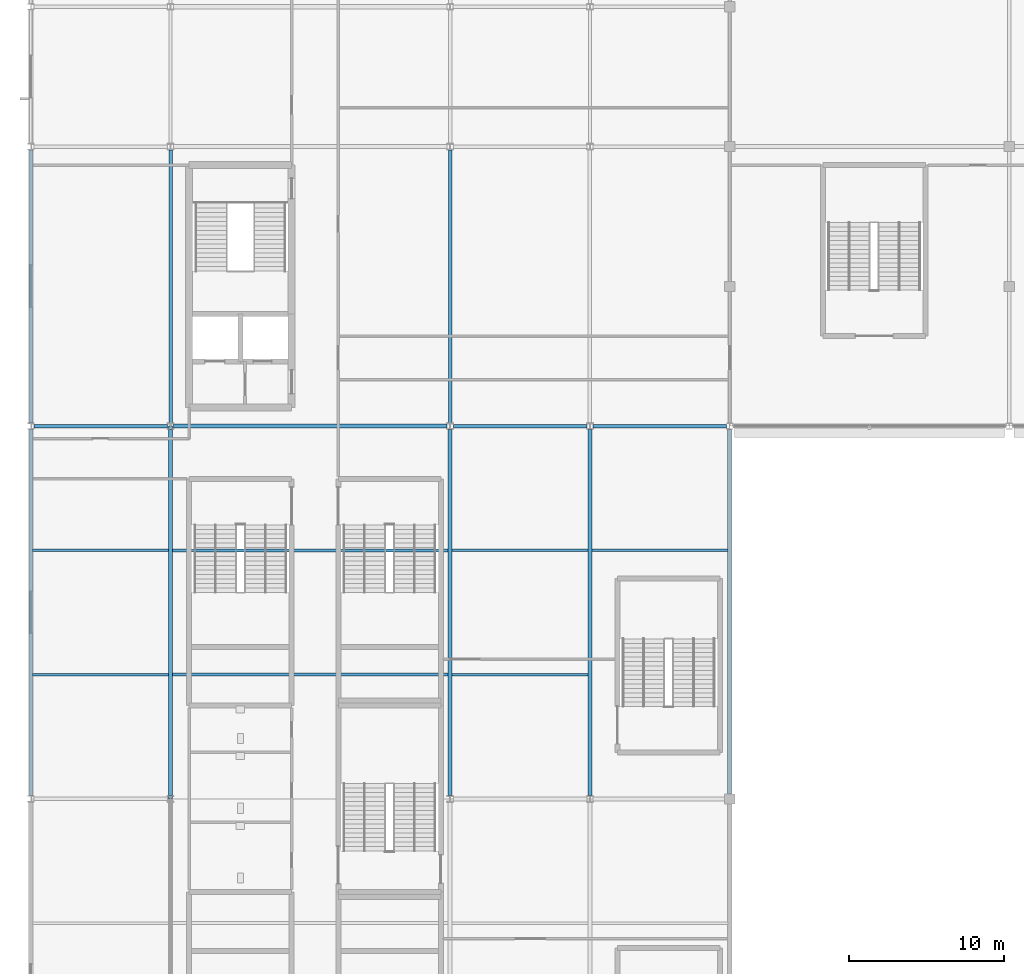
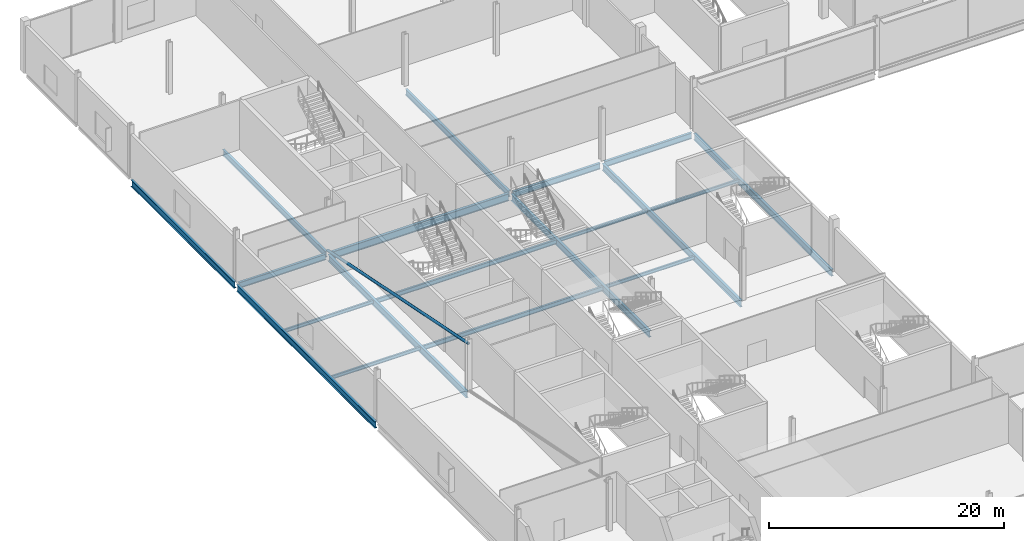
# One storey, part 26 of 111: 19 beams, 1 member.
"""IFC4 building model written with IfcOpenShell, lengths in metres."""

from ifc_helpers import new_model, si_unit, direction, frame, origin, origin_2d, place, context, subcontext, project, spatial, hollow_circle, i_section, extrude, material, material_profile, profile_set, type_object, element, save


model = new_model("IFC4")

# Units and contexts
model_context = context("Model", 3, precision=1e-05, world=origin(), true_north=direction((0.0, 1.0)))
body_context = subcontext(model_context, "Body", "Model", "MODEL_VIEW")
ifc_project = project(units=[si_unit("LENGTHUNIT", "METRE"), si_unit("AREAUNIT", "SQUARE_METRE"), si_unit("VOLUMEUNIT", "CUBIC_METRE"), si_unit("PLANEANGLEUNIT", "RADIAN"), si_unit("MASSUNIT", "GRAM", prefix="KILO")], contexts=[model_context])

# Site, building, storey
site_placement = place(None, origin())
site = spatial("IfcSite", under=ifc_project, at=site_placement, CompositionType="ELEMENT")
building_placement = place(site_placement, origin())
building = spatial("IfcBuilding", under=site, at=building_placement, Name="Kisiwana Market Hall", CompositionType="ELEMENT")
storey_placement = place(building_placement, frame((0.0, 0.0, 11.39990234375)))
storey = spatial("IfcBuildingStorey", under=building, at=storey_placement, Name="L02", CompositionType="ELEMENT", Elevation=11.39990234375)

# Beams
ifc_material_1 = material(Name="Steel S355", Category="steel")
ifc_material_profile_1 = material_profile(ifc_material_1, i_section(OverallWidth=0.22900390625, OverallDepth=0.6123046875, WebThickness=0.011962890625, FlangeThickness=0.01953125, at=origin_2d()), Name="UB 610x229x125")
ifc_profile_set_1 = profile_set([ifc_material_profile_1], Name="Steel S355")
beam_type_1 = type_object("IfcBeamType", Name="BM-GIRD-UB610H", PredefinedType="BEAM", material=ifc_profile_set_1)
for number, where, z_axis, x_axis, name in (
    (1, (0.201904296875, 84.0, -0.555908203125), (1.0, 0.0, 0.0), (0.0, 1.0, 0.0), "Floor beam B-0773"),
    (2, (27.201904296875, 84.0, -0.555908203125), (1.0, 0.0, 0.0), (0.0, 1.0, 0.0), "Floor beam B-0775"),
    (3, (36.201904296875, 84.0, -0.555908203125), (1.0, 0.0, 0.0), (0.0, 1.0, 0.0), "Floor beam B-0776"),
):
    element("IfcBeam", number, at=place(storey_placement, frame(where, z_axis=z_axis, x_axis=x_axis)), inside=storey, type_object=beam_type_1, Name=name, PredefinedType="BEAM", context=body_context, shape_type="SweptSolid", body=[
        extrude(i_section(OverallWidth=0.22900390625, OverallDepth=0.6123046875, WebThickness=0.011962890625, FlangeThickness=0.01953125, at=origin_2d()), origin(), (0.0, 0.0, 1.0), 8.59619140625),
    ])
for number, where, z_axis, x_axis, name in (
    (4, (9.0, 84.21337890625, -0.555908203125), (0.0, 1.0, 0.0), (-1.0, 0.0, 0.0), "Primary girder B-0606"),
    (5, (27.0, 84.21337890625, -0.555908203125), (0.0, 1.0, 0.0), (-1.0, 0.0, 0.0), "Primary girder B-0612"),
):
    element("IfcBeam", number, at=place(storey_placement, frame(where, z_axis=z_axis, x_axis=x_axis)), inside=storey, type_object=beam_type_1, Name=name, PredefinedType="BEAM", context=body_context, shape_type="SweptSolid", body=[
        extrude(i_section(OverallWidth=0.22900390625, OverallDepth=0.6123046875, WebThickness=0.011962890625, FlangeThickness=0.01953125, at=origin_2d()), origin(), (0.0, 0.0, 1.0), 17.5732421875),
    ])
ifc_material_2 = material(Name="Steel S355", Category="steel")
ifc_material_profile_2 = material_profile(ifc_material_2, i_section(OverallWidth=0.253662109375, OverallDepth=0.68359375, WebThickness=0.012451171875, FlangeThickness=0.01904296875, at=origin_2d()), Name="UB 686x254x140")
ifc_profile_set_2 = profile_set([ifc_material_profile_2], Name="Steel S355")
beam_type_2 = type_object("IfcBeamType", Name="BM-GIRD-UB686", PredefinedType="BEAM", material=ifc_profile_set_2)
beam_1_placement = place(storey_placement, frame((0.0, 60.21337890625, -0.591552734375), z_axis=(0.0, 1.0, 0.0), x_axis=(-1.0, 0.0, 0.0)))
element("IfcBeam", 6, at=beam_1_placement, inside=storey, type_object=beam_type_2, Name="Floor beam B-0829", PredefinedType="BEAM", context=body_context, shape_type="SweptSolid", body=[
    extrude(i_section(OverallWidth=0.253662109375, OverallDepth=0.68359375, WebThickness=0.012451171875, FlangeThickness=0.01904296875, at=origin_2d()), origin(), (0.0, 0.0, 1.0), 23.5732421875),
])
beam_2_placement = place(storey_placement, frame((0.0, 84.21337890625, -0.591552734375), z_axis=(0.0, 1.0, 0.0), x_axis=(-1.0, 0.0, 0.0)))
element("IfcBeam", 7, at=beam_2_placement, inside=storey, type_object=beam_type_2, Name="Floor beam B-0830", PredefinedType="BEAM", context=body_context, shape_type="SweptSolid", body=[
    extrude(i_section(OverallWidth=0.253662109375, OverallDepth=0.68359375, WebThickness=0.012451171875, FlangeThickness=0.01904296875, at=origin_2d()), origin(), (0.0, 0.0, 1.0), 17.5732421875),
])
beam_3_placement = place(storey_placement, frame((27.0, 60.21337890625, -0.591552734375), z_axis=(0.0, 1.0, 0.0), x_axis=(-1.0, 0.0, 0.0)))
element("IfcBeam", 8, at=beam_3_placement, inside=storey, type_object=beam_type_2, Name="Floor beam B-0834", PredefinedType="BEAM", context=body_context, shape_type="SweptSolid", body=[
    extrude(i_section(OverallWidth=0.253662109375, OverallDepth=0.68359375, WebThickness=0.012451171875, FlangeThickness=0.01904296875, at=origin_2d()), origin(), (0.0, 0.0, 1.0), 23.5732421875),
])
beam_4_placement = place(storey_placement, frame((45.0, 60.321044921875, -0.591552734375), z_axis=(0.0, 1.0, 0.0), x_axis=(-1.0, 0.0, 0.0)))
element("IfcBeam", 9, at=beam_4_placement, inside=storey, type_object=beam_type_2, Name="Floor beam B-0836", PredefinedType="BEAM", context=body_context, shape_type="SweptSolid", body=[
    extrude(i_section(OverallWidth=0.253662109375, OverallDepth=0.68359375, WebThickness=0.012451171875, FlangeThickness=0.01904296875, at=origin_2d()), origin(), (0.0, 0.0, 1.0), 23.465576171875),
])
for number, where, z_axis, x_axis, name in (
    (10, (9.0, 60.21337890625, -0.591552734375), (0.0, 1.0, 0.0), (-1.0, 0.0, 0.0), "Primary girder B-0605"),
    (11, (36.0, 60.21337890625, -0.591552734375), (0.0, 1.0, 0.0), (-1.0, 0.0, 0.0), "Primary girder B-0619"),
):
    element("IfcBeam", number, at=place(storey_placement, frame(where, z_axis=z_axis, x_axis=x_axis)), inside=storey, type_object=beam_type_2, Name=name, PredefinedType="BEAM", context=body_context, shape_type="SweptSolid", body=[
        extrude(i_section(OverallWidth=0.253662109375, OverallDepth=0.68359375, WebThickness=0.012451171875, FlangeThickness=0.01904296875, at=origin_2d()), origin(), (0.0, 0.0, 1.0), 23.5732421875),
    ])
ifc_material_3 = material(Name="Steel S355", Category="steel")
ifc_material_profile_3 = material_profile(ifc_material_3, i_section(OverallWidth=0.2666015625, OverallDepth=0.76220703125, WebThickness=0.014404296875, FlangeThickness=0.021484375, at=origin_2d()), Name="UB 762x267x173")
ifc_profile_set_3 = profile_set([ifc_material_profile_3], Name="Steel S355")
beam_type_3 = type_object("IfcBeamType", Name="BM-GIRD-UB762", PredefinedType="BEAM", material=ifc_profile_set_3)
beam_5_placement = place(storey_placement, frame((9.201904296875, 84.0, -0.631103515625), z_axis=(1.0, 0.0, 0.0), x_axis=(0.0, 1.0, 0.0)))
element("IfcBeam", 12, at=beam_5_placement, inside=storey, type_object=beam_type_3, Name="Floor beam B-0774", PredefinedType="BEAM", context=body_context, shape_type="SweptSolid", body=[
    extrude(i_section(OverallWidth=0.2666015625, OverallDepth=0.76220703125, WebThickness=0.014404296875, FlangeThickness=0.021484375, at=origin_2d()), origin(), (0.0, 0.0, 1.0), 17.59619140625),
])
ifc_material_4 = material(Name="Steel S355", Category="steel")
ifc_material_profile_4 = material_profile(ifc_material_4, i_section(OverallWidth=0.17138671875, OverallDepth=0.35498046875, WebThickness=0.00732421875, FlangeThickness=0.011474609375, at=origin_2d()), Name="UB 356x171x51")
ifc_profile_set_4 = profile_set([ifc_material_profile_4], Name="Steel S355")
beam_type_4 = type_object("IfcBeamType", Name="BM-JOIST-UB356", PredefinedType="JOIST", material=ifc_profile_set_4)
for number, where, z_axis, x_axis, name in (
    (13, (0.125732421875, 68.0, -0.427490234375), (1.0, 0.0, 0.0), (0.0, 1.0, 0.0), "Secondary floor joist B-0705"),
    (14, (27.125732421875, 68.0, -0.427490234375), (1.0, 0.0, 0.0), (0.0, 1.0, 0.0), "Secondary floor joist B-0707"),
    (15, (0.125732421875, 76.0, -0.427490234375), (1.0, 0.0, 0.0), (0.0, 1.0, 0.0), "Secondary floor joist B-0711"),
    (16, (27.125732421875, 76.0, -0.427490234375), (1.0, 0.0, 0.0), (0.0, 1.0, 0.0), "Secondary floor joist B-0713"),
    (17, (36.125732421875, 76.0, -0.427490234375), (1.0, 0.0, 0.0), (0.0, 1.0, 0.0), "Secondary floor joist B-0714"),
):
    element("IfcBeam", number, at=place(storey_placement, frame(where, z_axis=z_axis, x_axis=x_axis)), inside=storey, type_object=beam_type_4, Name=name, PredefinedType="JOIST", context=body_context, shape_type="SweptSolid", body=[
        extrude(i_section(OverallWidth=0.17138671875, OverallDepth=0.35498046875, WebThickness=0.00732421875, FlangeThickness=0.011474609375, at=origin_2d()), origin(), (0.0, 0.0, 1.0), 8.74853515625),
    ])
ifc_material_5 = material(Name="Steel S355", Category="steel")
ifc_material_profile_5 = material_profile(ifc_material_5, i_section(OverallWidth=0.18994140625, OverallDepth=0.453369140625, WebThickness=0.008544921875, FlangeThickness=0.0126953125, at=origin_2d()), Name="UB 457x191x67")
ifc_profile_set_5 = profile_set([ifc_material_profile_5], Name="Steel S355")
beam_type_5 = type_object("IfcBeamType", Name="BM-JOIST-UB457", PredefinedType="JOIST", material=ifc_profile_set_5)
for number, where, z_axis, x_axis, name in (
    (18, (9.125732421875, 68.0, -0.4765625), (1.0, 0.0, 0.0), (0.0, 1.0, 0.0), "Secondary floor joist B-0706"),
    (19, (9.125732421875, 76.0, -0.4765625), (1.0, 0.0, 0.0), (0.0, 1.0, 0.0), "Secondary floor joist B-0712"),
):
    element("IfcBeam", number, at=place(storey_placement, frame(where, z_axis=z_axis, x_axis=x_axis)), inside=storey, type_object=beam_type_5, Name=name, PredefinedType="JOIST", context=body_context, shape_type="SweptSolid", body=[
        extrude(i_section(OverallWidth=0.18994140625, OverallDepth=0.453369140625, WebThickness=0.008544921875, FlangeThickness=0.0126953125, at=origin_2d()), origin(), (0.0, 0.0, 1.0), 17.74853515625),
    ])

# Member
ifc_material_6 = material(Name="Steel S355", Category="steel")
ifc_material_profile_6 = material_profile(ifc_material_6, hollow_circle(Radius=0.136474609375, WallThickness=0.012451171875, at=origin_2d()), Name="CHS 273.0x12.5")
ifc_profile_set_6 = profile_set([ifc_material_profile_6], Name="Steel S355")
member_type = type_object("IfcMemberType", Name="MB-CBF-CHS273", PredefinedType="BRACE", material=ifc_profile_set_6)
member_placement = place(storey_placement, frame((9.0, 84.0, 0.0), z_axis=(0.0, -0.980185232723, 0.198083087497), x_axis=(1.0, 0.0, 0.0)))
element("IfcMember", 20, at=member_placement, inside=storey, type_object=member_type, Name="CBF-W-S diagonal brace (L02) M-0019", PredefinedType="BRACE", context=body_context, shape_type="SweptSolid", body=[
    extrude(hollow_circle(Radius=0.136474609375, WallThickness=0.012451171875, at=origin_2d()), origin(), (0.0, 0.0, 1.0), 24.485107421875),
])

save(model, "model.ifc")
